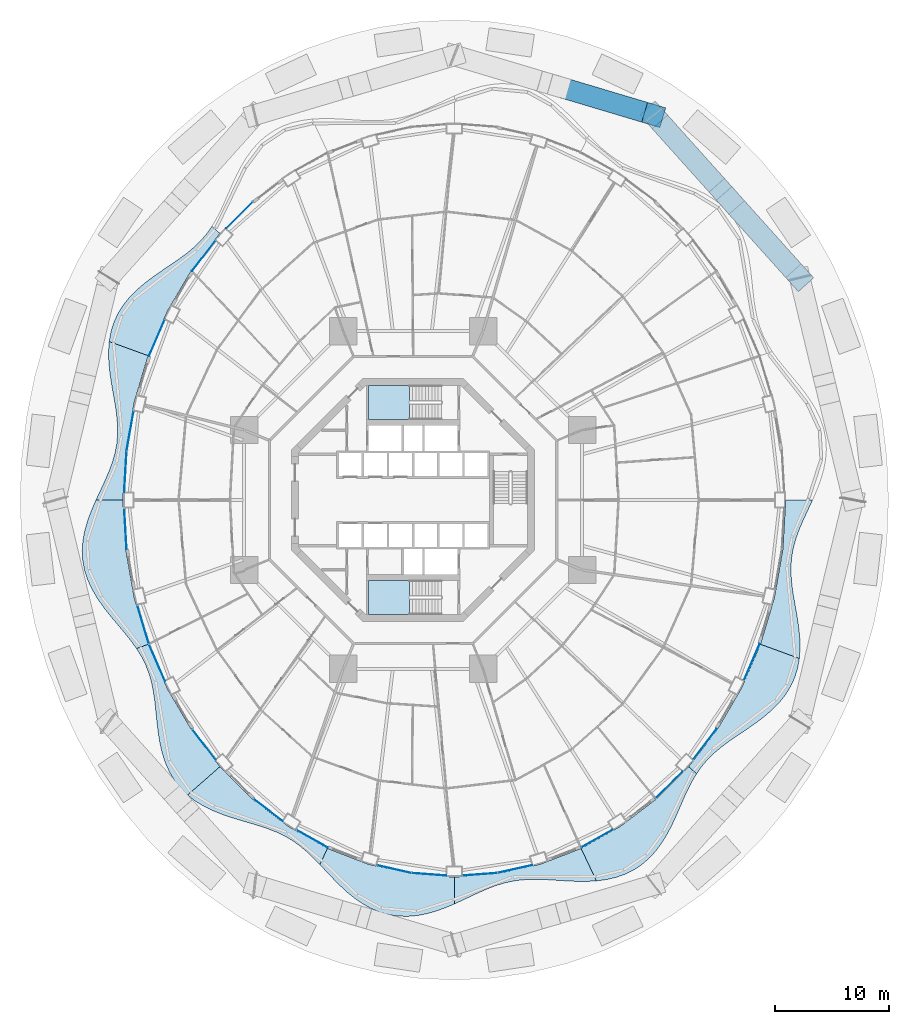
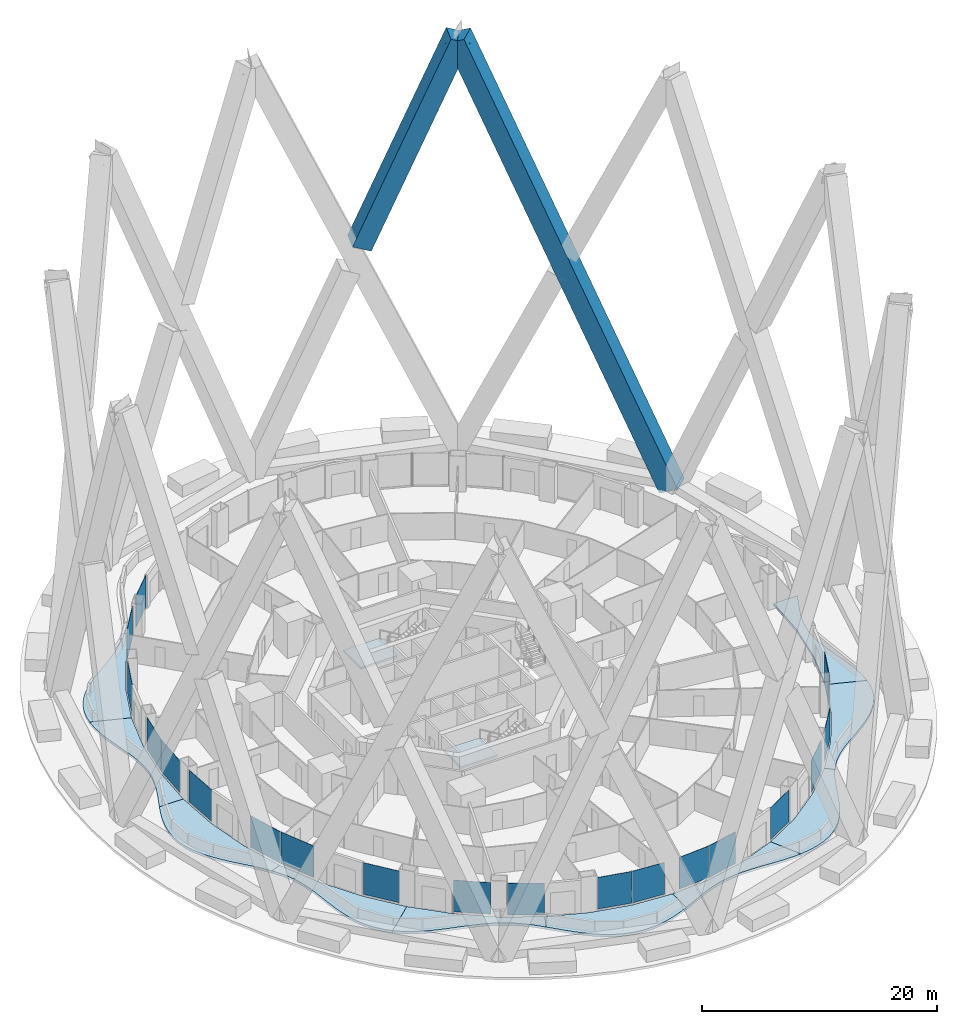
# One storey, part 30 of 42: 19 plates, 12 slabs, 2 members, 21 elements without a shape of their own.
"""IFC4 building model written with IfcOpenShell, lengths in metres."""

from ifc_helpers import new_model, si_unit, direction, frame, origin, origin_2d, place, context, subcontext, project, spatial, polyline, rectangle, outline, extrude, material, layer, layer_set, material_profile, profile_set, type_object, element, aggregate, save


model = new_model("IFC4")

# Units and contexts
model_context = context("Model", 3, precision=1e-05, world=origin(), true_north=direction((0.0, 1.0)))
body_context = subcontext(model_context, "Body", "Model", "MODEL_VIEW")
ifc_project = project(units=[si_unit("LENGTHUNIT", "METRE"), si_unit("AREAUNIT", "SQUARE_METRE"), si_unit("VOLUMEUNIT", "CUBIC_METRE"), si_unit("PLANEANGLEUNIT", "RADIAN"), si_unit("MASSUNIT", "GRAM", prefix="KILO")], contexts=[model_context])

# Site, building, storey
site_placement = place(None, origin())
site = spatial("IfcSite", under=ifc_project, at=site_placement, CompositionType="ELEMENT")
building_placement = place(site_placement, origin())
building = spatial("IfcBuilding", under=site, at=building_placement, Name="Nagisa Residences", CompositionType="ELEMENT")
storey_placement = place(building_placement, frame((0.0, 0.0, 27.0)))
storey = spatial("IfcBuildingStorey", under=building, at=storey_placement, Name="L05", CompositionType="ELEMENT", Elevation=27.0)

# Members
ifc_material_1 = material(Name="Concrete C80", Category="concrete")
ifc_material_profile = material_profile(ifc_material_1, rectangle(XDim=1.800048828125, YDim=1.800048828125, at=origin_2d()), Name="C80 1800x1800")
ifc_profile_set = profile_set([ifc_material_profile], Name="Concrete C80")
member_type = type_object("IfcMemberType", Name="Cage diagonal 1 C80 1800x1800", PredefinedType="BRACE", material=ifc_profile_set)
member_1_placement = place(storey_placement, frame((33.82421875, 19.449951171875, 0.0), z_axis=(-0.273549790011, 0.304907923919, 0.912250881236), x_axis=(-0.744346060554, -0.66779408663, 0.0)))
element("IfcMember", 1, at=member_1_placement, inside=storey, type_object=member_type, Name="mem:L05:cg1d103", PredefinedType="BRACE", context=body_context, shape_type="SweptSolid", body=[
    extrude(rectangle(XDim=1.800048828125, YDim=1.800048828125, at=origin_2d()), origin(), (0.0, 0.0, 1.0), 46.69775390625),
])
member_2_placement = place(storey_placement, frame((12.786376953125, 36.156494140625, 22.42626953125), z_axis=(0.376649014906, -0.112489508736, 0.919500750405), x_axis=(0.286168588266, 0.958179283375, 0.0)))
element("IfcMember", 2, at=member_2_placement, inside=storey, type_object=member_type, Name="mem:L05:cg1d106b", PredefinedType="BRACE", context=body_context, shape_type="SweptSolid", body=[
    extrude(rectangle(XDim=1.800048828125, YDim=1.800048828125, at=origin_2d()), origin(), (0.0, 0.0, 1.0), 21.93994140625),
])

# Slabs
ifc_material_2 = material(Name="Concrete C40/50", Category="concrete")
ifc_layer_1 = layer(ifc_material_2, 0.25)
ifc_layer_set_1 = layer_set([ifc_layer_1], Name="BALCONY SLAB 250")
slab_type_1 = type_object("IfcSlabType", Name="BALCONY SLAB 250", PredefinedType="FLOOR", material=ifc_layer_set_1)
slab_1_placement = place(storey_placement, frame((0.0, 0.0, -0.25)))
element("IfcSlab", 3, at=slab_1_placement, inside=storey, type_object=slab_type_1, Name="slab:L05:bal06", PredefinedType="FLOOR", context=body_context, shape_type="SweptSolid", body=[
    extrude(outline(polyline([(-17.6025390625, 23.946533203125), (-18.069091796875, 23.28955078125), (-18.591552734375, 22.68115234375), (-19.17333984375, 22.1162109375), (-19.812255859375, 21.5849609375), (-20.50146484375, 21.076416015625), (-21.228515625, 20.576904296875), (-21.977783203125, 20.072509765625), (-22.72998046875, 19.55029296875), (-23.464111328125, 18.998291015625), (-24.158935546875, 18.40673828125), (-24.7939453125, 17.768798828125), (-25.35107421875, 17.080810546875), (-25.816650390625, 16.342529296875), (-26.1806640625, 15.556884765625), (-26.439453125, 14.729248046875), (-26.5947265625, 13.866943359375), (-23.192626953125, 12.628662109375), (-21.5146484375, 16.5), (-19.4072265625, 20.089111328125), (-16.906005859375, 23.33447265625), (-17.6025390625, 23.946533203125)])), origin(), (0.0, 0.0, 1.0), 0.25),
])
slab_2_placement = place(storey_placement, frame((0.0, 0.0, -0.25)))
element("IfcSlab", 4, at=slab_2_placement, inside=storey, type_object=slab_type_1, Name="slab:L05:bal07", PredefinedType="FLOOR", context=body_context, shape_type="SweptSolid", body=[
    extrude(outline(polyline([(-26.5947265625, 13.866943359375), (-26.65478515625, 12.951171875), (-26.626708984375, 12.019287109375), (-26.530517578125, 11.082275390625), (-26.388671875, 10.149658203125), (-26.22705078125, 9.2294921875), (-26.07080078125, 8.32763671875), (-25.94482421875, 7.447265625), (-25.86962890625, 6.588623046875), (-25.86181640625, 5.750244140625), (-25.932373046875, 4.927978515625), (-26.08447265625, 4.115966796875), (-26.31591796875, 3.30810546875), (-26.6162109375, 2.497802734375), (-26.969970703125, 1.678955078125), (-27.35595703125, 0.847412109375), (-27.75, 0.0), (-25.39990234375, 0.0), (-25.15185546875, 4.307373046875), (-24.411865234375, 8.541015625), (-23.192626953125, 12.628662109375), (-26.5947265625, 13.866943359375)])), origin(), (0.0, 0.0, 1.0), 0.25),
])
slab_3_placement = place(storey_placement, frame((0.0, 0.0, -0.25)))
element("IfcSlab", 5, at=slab_3_placement, inside=storey, type_object=slab_type_1, Name="slab:L05:bal08", PredefinedType="FLOOR", context=body_context, shape_type="SweptSolid", body=[
    extrude(outline(polyline([(-27.75, 0.0), (-28.125732421875, -0.864013671875), (-28.45654296875, -1.742919921875), (-28.718505859375, -2.63330078125), (-28.890625, -3.52978515625), (-28.95654296875, -4.425537109375), (-28.906982421875, -5.313720703125), (-28.73876953125, -6.18701171875), (-28.455810546875, -7.038818359375), (-28.068603515625, -7.864501953125), (-27.59375, -8.66162109375), (-27.05224609375, -9.429443359375), (-26.46826171875, -10.170654296875), (-25.86767578125, -10.89013671875), (-25.27587890625, -11.594970703125), (-24.715576171875, -12.294189453125), (-24.206787109375, -12.997802734375), (-23.192626953125, -12.628662109375), (-24.411865234375, -8.541015625), (-25.15185546875, -4.307373046875), (-25.39990234375, 0.0), (-27.75, 0.0)])), origin(), (0.0, 0.0, 1.0), 0.25),
])
slab_4_placement = place(storey_placement, frame((0.0, 0.0, -0.25)))
element("IfcSlab", 6, at=slab_4_placement, inside=storey, type_object=slab_type_1, Name="slab:L05:bal09", PredefinedType="FLOOR", context=body_context, shape_type="SweptSolid", body=[
    extrude(outline(polyline([(-24.206787109375, -12.997802734375), (-23.77587890625, -13.69287109375), (-23.4140625, -14.40966796875), (-23.123291015625, -15.155029296875), (-22.8994140625, -15.93359375), (-22.7333984375, -16.7470703125), (-22.610595703125, -17.5947265625), (-22.513671875, -18.471923828125), (-22.42236328125, -19.37060546875), (-22.31494140625, -20.2802734375), (-22.171142578125, -21.1884765625), (-21.9716796875, -22.08056640625), (-21.700439453125, -22.942138671875), (-21.34619140625, -23.758544921875), (-20.901611328125, -24.517578125), (-20.365234375, -25.20849609375), (-19.740234375, -25.824951171875), (-16.906005859375, -23.33447265625), (-19.4072265625, -20.089111328125), (-21.5146484375, -16.5), (-23.192626953125, -12.628662109375), (-24.206787109375, -12.997802734375)])), origin(), (0.0, 0.0, 1.0), 0.25),
])
slab_5_placement = place(storey_placement, frame((0.0, 0.0, -0.25)))
element("IfcSlab", 7, at=slab_5_placement, inside=storey, type_object=slab_type_1, Name="slab:L05:bal10", PredefinedType="FLOOR", context=body_context, shape_type="SweptSolid", body=[
    extrude(outline(polyline([(-19.740234375, -25.824951171875), (-19.069580078125, -26.3408203125), (-18.33642578125, -26.787841796875), (-17.554443359375, -27.171142578125), (-16.73779296875, -27.499267578125), (-15.90283203125, -27.78369140625), (-15.064453125, -28.038818359375), (-14.236572265625, -28.27978515625), (-13.430908203125, -28.52294921875), (-12.656494140625, -28.7841796875), (-11.919189453125, -29.077392578125), (-11.220703125, -29.414306640625), (-10.5595703125, -29.803466796875), (-9.931640625, -30.2490234375), (-9.329345703125, -30.750732421875), (-8.7431640625, -31.3037109375), (-8.162841796875, -31.898681640625), (-7.497802734375, -30.488037109375), (-10.89990234375, -28.578857421875), (-14.05419921875, -26.1806640625), (-16.906005859375, -23.33447265625), (-19.740234375, -25.824951171875)])), origin(), (0.0, 0.0, 1.0), 0.25),
])
slab_6_placement = place(storey_placement, frame((0.0, 0.0, -0.25)))
element("IfcSlab", 8, at=slab_6_placement, inside=storey, type_object=slab_type_1, Name="slab:L05:bal11", PredefinedType="FLOOR", context=body_context, shape_type="SweptSolid", body=[
    extrude(outline(polyline([(-8.162841796875, -31.898681640625), (-7.598388671875, -32.49951171875), (-7.02001953125, -33.11181640625), (-6.41943359375, -33.71875), (-5.78955078125, -34.30224609375), (-5.126708984375, -34.84423828125), (-4.42822265625, -35.326904296875), (-3.695068359375, -35.7353515625), (-2.929443359375, -36.05712890625), (-2.13623046875, -36.283203125), (-1.322021484375, -36.408935546875), (-0.49365234375, -36.434326171875), (0.34033203125, -36.36376953125), (1.173095703125, -36.2060546875), (1.9970703125, -35.9736328125), (2.807373046875, -35.682373046875), (3.60009765625, -35.35009765625), (3.60009765625, -33.0), (-0.185302734375, -32.7177734375), (-3.90576171875, -31.87548828125), (-7.497802734375, -30.488037109375), (-8.162841796875, -31.898681640625)])), origin(), (0.0, 0.0, 1.0), 0.25),
])
slab_7_placement = place(storey_placement, frame((0.0, 0.0, -0.25)))
element("IfcSlab", 9, at=slab_7_placement, inside=storey, type_object=slab_type_1, Name="slab:L05:bal12", PredefinedType="FLOOR", context=body_context, shape_type="SweptSolid", body=[
    extrude(outline(polyline([(3.60009765625, -35.35009765625), (4.373291015625, -34.99560546875), (5.127685546875, -34.638427734375), (5.865478515625, -34.2958984375), (6.591064453125, -33.984375), (7.309814453125, -33.716552734375), (8.028076171875, -33.50146484375), (8.75244140625, -33.34375), (9.489013671875, -33.243896484375), (10.2431640625, -33.197509765625), (11.018310546875, -33.1962890625), (11.81591796875, -33.228515625), (12.635498046875, -33.279541015625), (13.4736328125, -33.332275390625), (14.3251953125, -33.36962890625), (15.1826171875, -33.373779296875), (16.036865234375, -33.32861328125), (14.69775390625, -30.488037109375), (11.105712890625, -31.87548828125), (7.38525390625, -32.7177734375), (3.60009765625, -33.0), (3.60009765625, -35.35009765625)])), origin(), (0.0, 0.0, 1.0), 0.25),
])
slab_8_placement = place(storey_placement, frame((0.0, 0.0, -0.25)))
element("IfcSlab", 10, at=slab_8_placement, inside=storey, type_object=slab_type_1, Name="slab:L05:bal13", PredefinedType="FLOOR", context=body_context, shape_type="SweptSolid", body=[
    extrude(outline(polyline([(16.036865234375, -33.32861328125), (16.908447265625, -33.21484375), (17.75390625, -33.020263671875), (18.5615234375, -32.736328125), (19.32080078125, -32.359619140625), (20.024169921875, -31.890380859375), (20.666015625, -31.334228515625), (21.244384765625, -30.7001953125), (21.760498046875, -30.001220703125), (22.219482421875, -29.251953125), (22.6298828125, -28.4697265625), (23.002685546875, -27.67138671875), (23.351318359375, -26.87353515625), (23.69091796875, -26.091064453125), (24.03662109375, -25.336669921875), (24.40283203125, -24.619873046875), (24.802490234375, -23.946533203125), (24.106201171875, -23.33447265625), (21.254150390625, -26.1806640625), (18.10009765625, -28.578857421875), (14.69775390625, -30.488037109375), (16.036865234375, -33.32861328125)])), origin(), (0.0, 0.0, 1.0), 0.25),
])
slab_9_placement = place(storey_placement, frame((0.0, 0.0, -0.25)))
element("IfcSlab", 11, at=slab_9_placement, inside=storey, type_object=slab_type_1, Name="slab:L05:bal14", PredefinedType="FLOOR", context=body_context, shape_type="SweptSolid", body=[
    extrude(outline(polyline([(24.802490234375, -23.946533203125), (25.26904296875, -23.28955078125), (25.79150390625, -22.68115234375), (26.373291015625, -22.1162109375), (27.012451171875, -21.5849609375), (27.701416015625, -21.076416015625), (28.4287109375, -20.576904296875), (29.177978515625, -20.072509765625), (29.929931640625, -19.55029296875), (30.6640625, -18.998291015625), (31.35888671875, -18.40673828125), (31.993896484375, -17.768798828125), (32.551025390625, -17.080810546875), (33.0166015625, -16.342529296875), (33.380615234375, -15.556884765625), (33.639404296875, -14.729248046875), (33.794921875, -13.866943359375), (30.392578125, -12.628662109375), (28.71484375, -16.5), (26.607177734375, -20.089111328125), (24.106201171875, -23.33447265625), (24.802490234375, -23.946533203125)])), origin(), (0.0, 0.0, 1.0), 0.25),
])
slab_10_placement = place(storey_placement, frame((0.0, 0.0, -0.25)))
element("IfcSlab", 12, at=slab_10_placement, inside=storey, type_object=slab_type_1, Name="slab:L05:bal15", PredefinedType="FLOOR", context=body_context, shape_type="SweptSolid", body=[
    extrude(outline(polyline([(33.794921875, -13.866943359375), (33.854736328125, -12.951171875), (33.826904296875, -12.019287109375), (33.73046875, -11.082275390625), (33.588623046875, -10.149658203125), (33.427001953125, -9.2294921875), (33.27099609375, -8.32763671875), (33.144775390625, -7.447265625), (33.069580078125, -6.588623046875), (33.06201171875, -5.750244140625), (33.13232421875, -4.927978515625), (33.28466796875, -4.115966796875), (33.515869140625, -3.30810546875), (33.816162109375, -2.497802734375), (34.169921875, -1.678955078125), (34.555908203125, -0.847412109375), (34.949951171875, 0.0), (32.60009765625, 0.0), (32.351806640625, -4.307373046875), (31.61181640625, -8.541015625), (30.392578125, -12.628662109375), (33.794921875, -13.866943359375)])), origin(), (0.0, 0.0, 1.0), 0.25),
])

# Curtain wall, plate
ifc_material_3 = material(Name="Concrete-coloured aluminium curtain wall system", Category="concrete")
ifc_layer_2 = layer(ifc_material_3, 0.159912109375)
ifc_layer_set_2 = layer_set([ifc_layer_2], Name="CW1 CURTAIN WALL")
curtain_wall_type = type_object("IfcCurtainWallType", Name="CW1 CURTAIN WALL", PredefinedType="NOTDEFINED", material=ifc_layer_set_2)
curtain_wall_1_placement = place(storey_placement, origin())
curtain_wall_1 = element("IfcCurtainWall", 13, at=curtain_wall_1_placement, inside=storey, type_object=curtain_wall_type, Name="cw:CW1:L05:17", PredefinedType="NOTDEFINED")
ifc_material_4 = material(Name="Clear laminated glass", Category="glass")
ifc_layer_3 = layer(ifc_material_4, 0.028076171875)
ifc_layer_set_3 = layer_set([ifc_layer_3], Name="CW1 GLASS PANEL")
plate_type = type_object("IfcPlateType", Name="CW1 GLASS PANEL", PredefinedType="CURTAIN_PANEL", material=ifc_layer_set_3)
plate_1_placement = place(storey_placement, frame((-15.197021484375, 24.927001953125, 0.14990234375), z_axis=(0.0, 0.0, 1.0), x_axis=(-0.707835924016, -0.706376885714, 0.0)))
plate_1 = element("IfcPlate", 14, at=plate_1_placement, type_object=plate_type, Name="CW1 panel", PredefinedType="CURTAIN_PANEL", context=body_context, shape_type="SweptSolid", body=[
    extrude(rectangle(XDim=3.269287109375, YDim=0.028076171875, at=origin_2d()), origin(), (0.0, 0.0, 1.0), 3.2900390625),
])
aggregate(curtain_wall_1, [plate_1])

curtain_wall_2_placement = place(storey_placement, origin())
curtain_wall_2 = element("IfcCurtainWall", 15, at=curtain_wall_2_placement, inside=storey, type_object=curtain_wall_type, Name="cw:CW1:L05:18", PredefinedType="NOTDEFINED")
plate_2_placement = place(storey_placement, frame((-18.3251953125, 21.362060546875, 0.14990234375), z_axis=(0.0, 0.0, 1.0), x_axis=(-0.610429828235, -0.792070340816, 0.0)))
plate_2 = element("IfcPlate", 16, at=plate_2_placement, type_object=plate_type, Name="CW1 panel", PredefinedType="CURTAIN_PANEL", context=body_context, shape_type="SweptSolid", body=[
    extrude(rectangle(XDim=3.33740234375, YDim=0.028076171875, at=origin_2d()), origin(), (0.0, 0.0, 1.0), 3.2900390625),
])
aggregate(curtain_wall_2, [plate_2])

curtain_wall_3_placement = place(storey_placement, origin())
curtain_wall_3 = element("IfcCurtainWall", 17, at=curtain_wall_3_placement, inside=storey, type_object=curtain_wall_type, Name="cw:CW1:L05:20", PredefinedType="NOTDEFINED")
plate_3_placement = place(storey_placement, frame((-22.431396484375, 14.183837890625, 0.14990234375), z_axis=(0.0, 0.0, 1.0), x_axis=(-0.397635934147, -0.917543276295, 0.0)))
plate_3 = element("IfcPlate", 18, at=plate_3_placement, type_object=plate_type, Name="CW1 panel", PredefinedType="CURTAIN_PANEL", context=body_context, shape_type="SweptSolid", body=[
    extrude(rectangle(XDim=3.45947265625, YDim=0.028076171875, at=origin_2d()), origin(), (0.0, 0.0, 1.0), 3.2900390625),
])
aggregate(curtain_wall_3, [plate_3])

curtain_wall_4_placement = place(storey_placement, origin())
curtain_wall_4 = element("IfcCurtainWall", 19, at=curtain_wall_4_placement, inside=storey, type_object=curtain_wall_type, Name="cw:CW1:L05:22", PredefinedType="NOTDEFINED")
plate_4_placement = place(storey_placement, frame((-24.7685546875, 6.0361328125, 0.14990234375), z_axis=(0.0, 0.0, 1.0), x_axis=(-0.172190868898, -0.985063604377, 0.0)))
plate_4 = element("IfcPlate", 20, at=plate_4_placement, type_object=plate_type, Name="CW1 panel", PredefinedType="CURTAIN_PANEL", context=body_context, shape_type="SweptSolid", body=[
    extrude(rectangle(XDim=3.537841796875, YDim=0.028076171875, at=origin_2d()), origin(), (0.0, 0.0, 1.0), 3.2900390625),
])
aggregate(curtain_wall_4, [plate_4])

curtain_wall_5_placement = place(storey_placement, origin())
curtain_wall_5 = element("IfcCurtainWall", 21, at=curtain_wall_5_placement, inside=storey, type_object=curtain_wall_type, Name="cw:CW1:L05:23", PredefinedType="NOTDEFINED")
plate_5_placement = place(storey_placement, frame((-25.177734375, 2.468505859375, 0.14990234375), z_axis=(0.0, 0.0, 1.0), x_axis=(-0.057503492216, -0.998345305184, 0.0)))
plate_5 = element("IfcPlate", 22, at=plate_5_placement, type_object=plate_type, Name="CW1 panel", PredefinedType="CURTAIN_PANEL", context=body_context, shape_type="SweptSolid", body=[
    extrude(rectangle(XDim=3.554443359375, YDim=0.028076171875, at=origin_2d()), origin(), (0.0, 0.0, 1.0), 3.2900390625),
])
aggregate(curtain_wall_5, [plate_5])

curtain_wall_6_placement = place(storey_placement, origin())
curtain_wall_6 = element("IfcCurtainWall", 23, at=curtain_wall_6_placement, inside=storey, type_object=curtain_wall_type, Name="cw:CW1:L05:24", PredefinedType="NOTDEFINED")
plate_6_placement = place(storey_placement, frame((-25.17431640625, -2.528564453125, 0.14990234375), z_axis=(0.0, 0.0, 1.0), x_axis=(0.057503492216, -0.998345305184, 0.0)))
plate_6 = element("IfcPlate", 24, at=plate_6_placement, type_object=plate_type, Name="CW1 panel", PredefinedType="CURTAIN_PANEL", context=body_context, shape_type="SweptSolid", body=[
    extrude(rectangle(XDim=3.554443359375, YDim=0.028076171875, at=origin_2d()), origin(), (0.0, 0.0, 1.0), 3.2900390625),
])
aggregate(curtain_wall_6, [plate_6])

curtain_wall_7_placement = place(storey_placement, origin())
curtain_wall_7 = element("IfcCurtainWall", 25, at=curtain_wall_7_placement, inside=storey, type_object=curtain_wall_type, Name="cw:CW1:L05:26", PredefinedType="NOTDEFINED")
plate_7_placement = place(storey_placement, frame((-23.616943359375, -10.926025390625, 0.14990234375), z_axis=(0.0, 0.0, 1.0), x_axis=(0.285860274038, -0.958271310082, 0.0)))
plate_7 = element("IfcPlate", 26, at=plate_7_placement, type_object=plate_type, Name="CW1 panel", PredefinedType="CURTAIN_PANEL", context=body_context, shape_type="SweptSolid", body=[
    extrude(rectangle(XDim=3.505615234375, YDim=0.028076171875, at=origin_2d()), origin(), (0.0, 0.0, 1.0), 3.2900390625),
])
aggregate(curtain_wall_7, [plate_7])

curtain_wall_8_placement = place(storey_placement, origin())
curtain_wall_8 = element("IfcCurtainWall", 27, at=curtain_wall_8_placement, inside=storey, type_object=curtain_wall_type, Name="cw:CW1:L05:27", PredefinedType="NOTDEFINED")
plate_8_placement = place(storey_placement, frame((-22.407470703125, -14.23876953125, 0.14990234375), z_axis=(0.0, 0.0, 1.0), x_axis=(0.397635934147, -0.917543276295, 0.0)))
plate_8 = element("IfcPlate", 28, at=plate_8_placement, type_object=plate_type, Name="CW1 panel", PredefinedType="CURTAIN_PANEL", context=body_context, shape_type="SweptSolid", body=[
    extrude(rectangle(XDim=3.45947265625, YDim=0.028076171875, at=origin_2d()), origin(), (0.0, 0.0, 1.0), 3.2900390625),
])
aggregate(curtain_wall_8, [plate_8])

curtain_wall_9_placement = place(storey_placement, origin())
curtain_wall_9 = element("IfcCurtainWall", 29, at=curtain_wall_9_placement, inside=storey, type_object=curtain_wall_type, Name="cw:CW1:L05:29", PredefinedType="NOTDEFINED")
plate_9_placement = place(storey_placement, frame((-18.28857421875, -21.409423828125, 0.14990234375), z_axis=(0.0, 0.0, 1.0), x_axis=(0.610429828235, -0.792070340816, 0.0)))
plate_9 = element("IfcPlate", 30, at=plate_9_placement, type_object=plate_type, Name="CW1 panel", PredefinedType="CURTAIN_PANEL", context=body_context, shape_type="SweptSolid", body=[
    extrude(rectangle(XDim=3.33740234375, YDim=0.028076171875, at=origin_2d()), origin(), (0.0, 0.0, 1.0), 3.2900390625),
])
aggregate(curtain_wall_9, [plate_9])

curtain_wall_10_placement = place(storey_placement, origin())
curtain_wall_10 = element("IfcCurtainWall", 31, at=curtain_wall_10_placement, inside=storey, type_object=curtain_wall_type, Name="cw:CW1:L05:31", PredefinedType="NOTDEFINED")
plate_10_placement = place(storey_placement, frame((-12.683349609375, -27.122314453125, 0.14990234375), z_axis=(0.0, 0.0, 1.0), x_axis=(0.79603132756, -0.605255421737, 0.0)))
plate_10 = element("IfcPlate", 32, at=plate_10_placement, type_object=plate_type, Name="CW1 panel", PredefinedType="CURTAIN_PANEL", context=body_context, shape_type="SweptSolid", body=[
    extrude(rectangle(XDim=3.2021484375, YDim=0.028076171875, at=origin_2d()), origin(), (0.0, 0.0, 1.0), 3.2900390625),
])
aggregate(curtain_wall_10, [plate_10])

curtain_wall_11_placement = place(storey_placement, origin())
curtain_wall_11 = element("IfcCurtainWall", 33, at=curtain_wall_11_placement, inside=storey, type_object=curtain_wall_type, Name="cw:CW1:L05:32", PredefinedType="NOTDEFINED")
plate_11_placement = place(storey_placement, frame((-8.828369140625, -29.649658203125, 0.14990234375), z_axis=(0.0, 0.0, 1.0), x_axis=(0.872072377523, -0.489376918501, 0.0)))
plate_11 = element("IfcPlate", 34, at=plate_11_placement, type_object=plate_type, Name="CW1 panel", PredefinedType="CURTAIN_PANEL", context=body_context, shape_type="SweptSolid", body=[
    extrude(rectangle(XDim=3.141357421875, YDim=0.028076171875, at=origin_2d()), origin(), (0.0, 0.0, 1.0), 3.2900390625),
])
aggregate(curtain_wall_11, [plate_11])

curtain_wall_12_placement = place(storey_placement, origin())
curtain_wall_12 = element("IfcCurtainWall", 35, at=curtain_wall_12_placement, inside=storey, type_object=curtain_wall_type, Name="cw:CW1:L05:34", PredefinedType="NOTDEFINED")
plate_12_placement = place(storey_placement, frame((-1.6572265625, -32.302490234375, 0.14990234375), z_axis=(0.0, 0.0, 1.0), x_axis=(0.975327274089, -0.2207639201, 0.0)))
plate_12 = element("IfcPlate", 36, at=plate_12_placement, type_object=plate_type, Name="CW1 panel", PredefinedType="CURTAIN_PANEL", context=body_context, shape_type="SweptSolid", body=[
    extrude(rectangle(XDim=3.0546875, YDim=0.028076171875, at=origin_2d()), origin(), (0.0, 0.0, 1.0), 3.2900390625),
])
aggregate(curtain_wall_12, [plate_12])

curtain_wall_13_placement = place(storey_placement, origin())
curtain_wall_13 = element("IfcCurtainWall", 37, at=curtain_wall_13_placement, inside=storey, type_object=curtain_wall_type, Name="cw:CW1:L05:35", PredefinedType="NOTDEFINED")
plate_13_placement = place(storey_placement, frame((1.394287109375, -32.75537109375, 0.14990234375), z_axis=(0.0, 0.0, 1.0), x_axis=(0.997230168512, -0.074377355493, 0.0)))
plate_13 = element("IfcPlate", 38, at=plate_13_placement, type_object=plate_type, Name="CW1 panel", PredefinedType="CURTAIN_PANEL", context=body_context, shape_type="SweptSolid", body=[
    extrude(rectangle(XDim=3.035888671875, YDim=0.028076171875, at=origin_2d()), origin(), (0.0, 0.0, 1.0), 3.2900390625),
])
aggregate(curtain_wall_13, [plate_13])

curtain_wall_14_placement = place(storey_placement, origin())
curtain_wall_14 = element("IfcCurtainWall", 39, at=curtain_wall_14_placement, inside=storey, type_object=curtain_wall_type, Name="cw:CW1:L05:36", PredefinedType="NOTDEFINED")
plate_14_placement = place(storey_placement, frame((5.86572265625, -32.750732421875, 0.14990234375), z_axis=(0.0, 0.0, 1.0), x_axis=(0.997230168512, 0.074377355493, 0.0)))
plate_14 = element("IfcPlate", 40, at=plate_14_placement, type_object=plate_type, Name="CW1 panel", PredefinedType="CURTAIN_PANEL", context=body_context, shape_type="SweptSolid", body=[
    extrude(rectangle(XDim=3.035888671875, YDim=0.028076171875, at=origin_2d()), origin(), (0.0, 0.0, 1.0), 3.2900390625),
])
aggregate(curtain_wall_14, [plate_14])

curtain_wall_15_placement = place(storey_placement, origin())
curtain_wall_15 = element("IfcCurtainWall", 41, at=curtain_wall_15_placement, inside=storey, type_object=curtain_wall_type, Name="cw:CW1:L05:37", PredefinedType="NOTDEFINED")
plate_15_placement = place(storey_placement, frame((8.915771484375, -32.289306640625, 0.14990234375), z_axis=(0.0, 0.0, 1.0), x_axis=(0.975327274089, 0.2207639201, 0.0)))
plate_15 = element("IfcPlate", 42, at=plate_15_placement, type_object=plate_type, Name="CW1 panel", PredefinedType="CURTAIN_PANEL", context=body_context, shape_type="SweptSolid", body=[
    extrude(rectangle(XDim=3.0546875, YDim=0.028076171875, at=origin_2d()), origin(), (0.0, 0.0, 1.0), 3.2900390625),
])
aggregate(curtain_wall_15, [plate_15])

curtain_wall_16_placement = place(storey_placement, origin())
curtain_wall_16 = element("IfcCurtainWall", 43, at=curtain_wall_16_placement, inside=storey, type_object=curtain_wall_type, Name="cw:CW1:L05:39", PredefinedType="NOTDEFINED")
plate_16_placement = place(storey_placement, frame((16.080810546875, -29.620361328125, 0.14990234375), z_axis=(0.0, 0.0, 1.0), x_axis=(0.872072377523, 0.489376918501, 0.0)))
plate_16 = element("IfcPlate", 44, at=plate_16_placement, type_object=plate_type, Name="CW1 panel", PredefinedType="CURTAIN_PANEL", context=body_context, shape_type="SweptSolid", body=[
    extrude(rectangle(XDim=3.141357421875, YDim=0.028076171875, at=origin_2d()), origin(), (0.0, 0.0, 1.0), 3.2900390625),
])
aggregate(curtain_wall_16, [plate_16])

curtain_wall_17_placement = place(storey_placement, origin())
curtain_wall_17 = element("IfcCurtainWall", 45, at=curtain_wall_17_placement, inside=storey, type_object=curtain_wall_type, Name="cw:CW1:L05:41", PredefinedType="NOTDEFINED")
plate_17_placement = place(storey_placement, frame((22.39697265625, -24.927001953125, 0.14990234375), z_axis=(0.0, 0.0, 1.0), x_axis=(0.707835924016, 0.706376885714, 0.0)))
plate_17 = element("IfcPlate", 46, at=plate_17_placement, type_object=plate_type, Name="CW1 panel", PredefinedType="CURTAIN_PANEL", context=body_context, shape_type="SweptSolid", body=[
    extrude(rectangle(XDim=3.269287109375, YDim=0.028076171875, at=origin_2d()), origin(), (0.0, 0.0, 1.0), 3.2900390625),
])
aggregate(curtain_wall_17, [plate_17])

curtain_wall_18_placement = place(storey_placement, origin())
curtain_wall_18 = element("IfcCurtainWall", 47, at=curtain_wall_18_placement, inside=storey, type_object=curtain_wall_type, Name="cw:CW1:L05:42", PredefinedType="NOTDEFINED")
plate_18_placement = place(storey_placement, frame((25.525390625, -21.362060546875, 0.14990234375), z_axis=(0.0, 0.0, 1.0), x_axis=(0.610429828235, 0.792070340816, 0.0)))
plate_18 = element("IfcPlate", 48, at=plate_18_placement, type_object=plate_type, Name="CW1 panel", PredefinedType="CURTAIN_PANEL", context=body_context, shape_type="SweptSolid", body=[
    extrude(rectangle(XDim=3.33740234375, YDim=0.028076171875, at=origin_2d()), origin(), (0.0, 0.0, 1.0), 3.2900390625),
])
aggregate(curtain_wall_18, [plate_18])

curtain_wall_19_placement = place(storey_placement, origin())
curtain_wall_19 = element("IfcCurtainWall", 49, at=curtain_wall_19_placement, inside=storey, type_object=curtain_wall_type, Name="cw:CW1:L05:44", PredefinedType="NOTDEFINED")
plate_19_placement = place(storey_placement, frame((29.63134765625, -14.183837890625, 0.14990234375), z_axis=(0.0, 0.0, 1.0), x_axis=(0.397635934147, 0.917543276295, 0.0)))
plate_19 = element("IfcPlate", 50, at=plate_19_placement, type_object=plate_type, Name="CW1 panel", PredefinedType="CURTAIN_PANEL", context=body_context, shape_type="SweptSolid", body=[
    extrude(rectangle(XDim=3.45947265625, YDim=0.028076171875, at=origin_2d()), origin(), (0.0, 0.0, 1.0), 3.2900390625),
])
aggregate(curtain_wall_19, [plate_19])

# Stair, slab
ifc_material_5 = material(Name="Concrete C60", Category="concrete")
stair_type = type_object("IfcStairType", Name="Exit stair", PredefinedType="HALF_TURN_STAIR", material=ifc_material_5)
stair_1_placement = place(storey_placement, origin())
stair_1 = element("IfcStair", 51, at=stair_1_placement, inside=storey, type_object=stair_type, Name="L05 Exit stair N", PredefinedType="HALF_TURN_STAIR")
ifc_material_6 = material(Name="Concrete C60", Category="concrete")
ifc_layer_4 = layer(ifc_material_6, 0.199951171875)
ifc_layer_set_4 = layer_set([ifc_layer_4], Name="Stair landing")
slab_type_2 = type_object("IfcSlabType", Name="Stair landing", PredefinedType="LANDING", material=ifc_layer_set_4)
slab_11_placement = place(storey_placement, frame((0.0, 0.0, 1.64990234375)))
slab_11 = element("IfcSlab", 52, at=slab_11_placement, type_object=slab_type_2, Name="ST-N landing 1", PredefinedType="LANDING", context=body_context, shape_type="SweptSolid", body=[
    extrude(outline(polyline([(-0.324951171875, 10.024658203125), (-3.89990234375, 10.024658203125), (-3.89990234375, 7.024658203125), (-0.324951171875, 7.024658203125), (-0.324951171875, 10.024658203125)])), origin(), (0.0, 0.0, 1.0), 0.2001953125),
])
aggregate(stair_1, [slab_11])

stair_2_placement = place(storey_placement, origin())
stair_2 = element("IfcStair", 53, at=stair_2_placement, inside=storey, type_object=stair_type, Name="L05 Exit stair S", PredefinedType="HALF_TURN_STAIR")
slab_12_placement = place(storey_placement, frame((0.0, 0.0, 1.64990234375)))
slab_12 = element("IfcSlab", 54, at=slab_12_placement, type_object=slab_type_2, Name="ST-S landing 1", PredefinedType="LANDING", context=body_context, shape_type="SweptSolid", body=[
    extrude(outline(polyline([(-0.324951171875, -7.024658203125), (-3.89990234375, -7.024658203125), (-3.89990234375, -10.024658203125), (-0.324951171875, -10.024658203125), (-0.324951171875, -7.024658203125)])), origin(), (0.0, 0.0, 1.0), 0.2001953125),
])
aggregate(stair_2, [slab_12])

save(model, "model.ifc")
